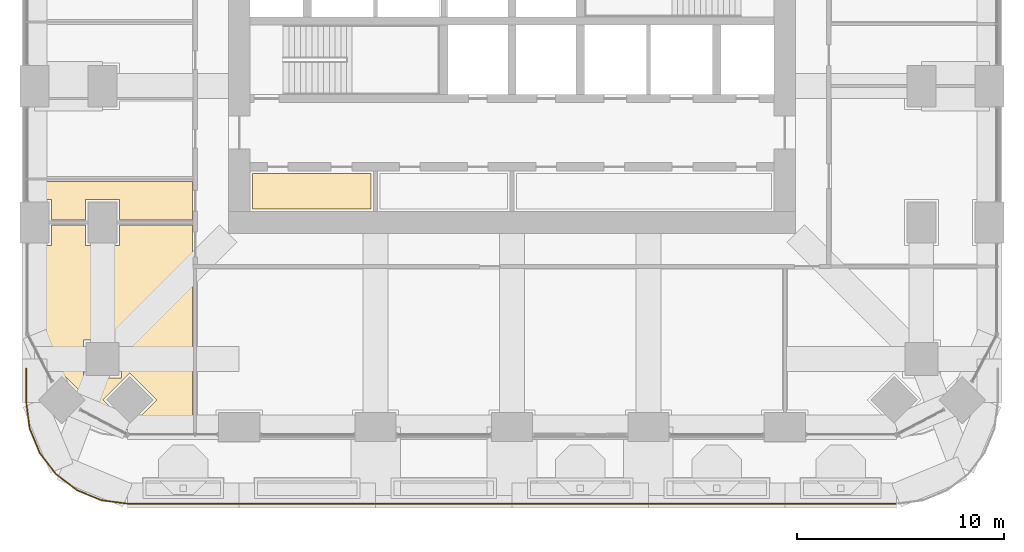
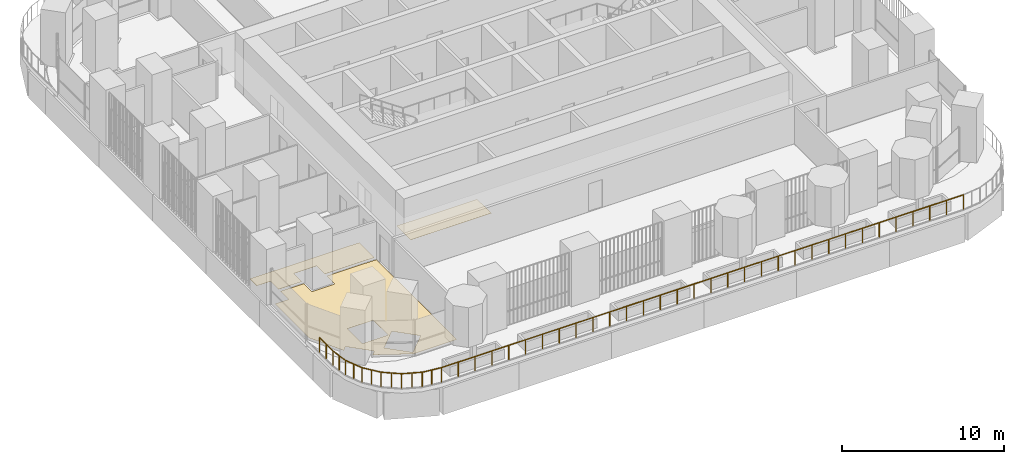
# One storey, part 17 of 22: 3 coverings, 1 railing.
"""IFC4 building model written with IfcOpenShell, lengths in metres."""

import ifcopenshell
import ifcopenshell.guid

model = None  # the IFC model being written
_history = None  # IfcOwnerHistory: only IFC2X3 demands one
_inside = {}  # id of a spatial element -> (the spatial element, [elements in it])
_under = {}  # id of a project, library or spatial element -> (it, [spatial elements below it])
_declared = {}  # id of a project -> (the project, [libraries it declares])
_typed = {}  # id of a type object -> (the type object, [elements of that type])
_made_of = {}  # id of a material, layer set ... -> (it, [elements and type objects made of it])


def new_model(schema):
    """Start an empty IFC model of exactly this schema.

    Asked for "IFC4X3", IfcOpenShell would pick the latest addendum, in which some entities
    have other attributes; the version numbers below select the first issue.
    IFC2X3 requires an IfcOwnerHistory on every rooted entity: one is made here for all.
    """
    global model, _history
    if schema == "IFC4X3":
        model = ifcopenshell.file(schema_version=(4, 3, 0, 0))
    else:
        model = ifcopenshell.file(schema=schema)
    _inside.clear()
    _under.clear()
    _declared.clear()
    _typed.clear()
    _made_of.clear()
    _history = None
    if model.schema == "IFC2X3":
        org = make("IfcOrganization", Name="unknown")
        user = make(
            "IfcPersonAndOrganization",
            ThePerson=make("IfcPerson", FamilyName="unknown"),
            TheOrganization=org,
        )
        app = make(
            "IfcApplication",
            ApplicationDeveloper=org,
            Version="unknown",
            ApplicationFullName="unknown",
            ApplicationIdentifier="unknown",
        )
        _history = make(
            "IfcOwnerHistory",
            OwningUser=user,
            OwningApplication=app,
            ChangeAction="ADDED",
            CreationDate=0,
        )
    return model


def make(cls, **values):
    """One entity of the class cls with the attributes given. An attribute that is None is left unset."""
    return model.create_entity(
        cls, **{name: value for name, value in values.items() if value is not None}
    )


def rooted(cls, **values):
    """An entity with a GlobalId (a new one), such as an element, a storey or a relation."""
    return make(cls, GlobalId=ifcopenshell.guid.new(), OwnerHistory=_history, **values)


def si_unit(unit_type, name, prefix=None):
    """IfcSIUnit, for example si_unit("LENGTHUNIT", "METRE", prefix="MILLI")."""
    return make("IfcSIUnit", UnitType=unit_type, Prefix=prefix, Name=name)


def assignment(units):
    """IfcUnitAssignment: the units of a project."""
    return None if units is None else make("IfcUnitAssignment", Units=units)


def point(xyz):
    """IfcCartesianPoint."""
    return None if xyz is None else make("IfcCartesianPoint", Coordinates=xyz)


def direction(xyz):
    """IfcDirection."""
    return None if xyz is None else make("IfcDirection", DirectionRatios=xyz)


def frame(location, z_axis=None, x_axis=None):
    """IfcAxis2Placement3D, a coordinate frame: its origin and axes. An axis left out is left unset."""
    return make(
        "IfcAxis2Placement3D",
        Location=point(location),
        Axis=direction(z_axis),
        RefDirection=direction(x_axis),
    )


def origin():
    """The frame at (0, 0, 0) with its axes left unset."""
    return frame((0.0, 0.0, 0.0))


def place(relative_to, where):
    """IfcLocalPlacement: puts the frame where relative to a parent placement (None: the world)."""
    return make(
        "IfcLocalPlacement", PlacementRelTo=relative_to, RelativePlacement=where
    )


def context(
    kind, dimensions, precision=None, world=None, true_north=None, identifier=None
):
    """IfcGeometricRepresentationContext, for example the 3D "Model" context."""
    return make(
        "IfcGeometricRepresentationContext",
        ContextIdentifier=identifier,
        ContextType=kind,
        CoordinateSpaceDimension=dimensions,
        Precision=precision,
        WorldCoordinateSystem=world,
        TrueNorth=true_north,
    )


def subcontext(parent, identifier, kind, view, scale=None):
    """IfcGeometricRepresentationSubContext, for example "Body" below "Model"."""
    return make(
        "IfcGeometricRepresentationSubContext",
        ContextIdentifier=identifier,
        ContextType=kind,
        ParentContext=parent,
        TargetScale=scale,
        TargetView=view,
    )


def project(units=None, contexts=None):
    """IfcProject with its units and contexts."""
    return rooted(
        "IfcProject",
        Name="project",
        RepresentationContexts=contexts,
        UnitsInContext=assignment(units),
    )


def spatial(cls, under=None, at=None, **own):
    """A site, building, storey or space (cls), placed at a placement, below another one or the project."""
    s = rooted(cls, ObjectPlacement=at, **own)
    if under is not None:
        _under.setdefault(under.id(), (under, []))[1].append(s)
    return s


def polyline(points):
    """IfcPolyline through the points."""
    return make("IfcPolyline", Points=[point(p) for p in points])


def outline(outer, holes=None, kind="AREA"):
    """IfcArbitraryClosedProfileDef: a profile drawn as a closed curve; with holes, ...WithVoids."""
    if holes is None:
        return make("IfcArbitraryClosedProfileDef", ProfileType=kind, OuterCurve=outer)
    return make(
        "IfcArbitraryProfileDefWithVoids",
        ProfileType=kind,
        OuterCurve=outer,
        InnerCurves=holes,
    )


def extrude(swept, where, along, depth):
    """IfcExtrudedAreaSolid: the profile swept, set in the frame where, extruded along a direction by depth."""
    return make(
        "IfcExtrudedAreaSolid",
        SweptArea=swept,
        Position=where,
        ExtrudedDirection=direction(along),
        Depth=depth,
    )


def shape(context_of_items, identifier, shape_type, items):
    """IfcShapeRepresentation: the items that make up one representation, for example the "Body"."""
    return make(
        "IfcShapeRepresentation",
        ContextOfItems=context_of_items,
        RepresentationIdentifier=identifier,
        RepresentationType=shape_type,
        Items=items,
    )


def material(Name=None, Category=None):
    """IfcMaterial."""
    return make("IfcMaterial", Name=Name, Category=Category)


def layer(
    of_material, thickness, ventilated=None, Name=None, Category=None, Priority=None
):
    """IfcMaterialLayer: one layer of a wall or slab, of a material (None: an air gap)."""
    return make(
        "IfcMaterialLayer",
        Material=of_material,
        LayerThickness=thickness,
        IsVentilated=ventilated,
        Name=Name,
        Category=Category,
        Priority=Priority,
    )


def layer_set(layers, Name=None):
    """IfcMaterialLayerSet."""
    return make("IfcMaterialLayerSet", MaterialLayers=layers, LayerSetName=Name)


def made_of(thing, what):
    """Note that an element or type object is made of a material, layer set ...; save() writes the relation."""
    if what is not None:
        _made_of.setdefault(what.id(), (what, []))[1].append(thing)
    return thing


def type_object(cls, material=None, **own):
    """A type object (cls), such as IfcWallType, which elements share."""
    return made_of(rooted(cls, **own), material)


def element(
    cls,
    number,
    at=None,
    inside=None,
    cuts=None,
    type_object=None,
    material=None,
    context=None,
    identifier="Body",
    shape_type=None,
    held_by="IfcProductDefinitionShape",
    body=None,
    shapes=None,
    **own,
):
    """One element of the class cls, such as IfcWall. Its Tag is "e" and its number.

    at: its placement. inside: the storey or other place that contains it. cuts: it is an
    opening in that element (IfcRelVoidsElement). A single representation is given by context,
    identifier, shape_type and body (its items); several are given by shapes. held_by: the class
    of the entity that holds the representations. save() writes the other relations.
    """
    e = rooted(cls, Tag="e%d" % number, ObjectPlacement=at, **own)
    if body is not None:
        shapes = [shape(context, identifier, shape_type, body)]
    if shapes is not None:
        e.Representation = make(held_by, Representations=shapes)
    if inside is not None:
        _inside.setdefault(inside.id(), (inside, []))[1].append(e)
    if cuts is not None:
        rooted(
            "IfcRelVoidsElement", RelatingBuildingElement=cuts, RelatedOpeningElement=e
        )
    if type_object is not None:
        _typed.setdefault(type_object.id(), (type_object, []))[1].append(e)
    return made_of(e, material)


def aggregate(whole, parts):
    """IfcRelAggregates: a whole, such as a stair, and the parts it consists of."""
    return rooted("IfcRelAggregates", RelatingObject=whole, RelatedObjects=parts)


def save(model, path):
    """Write the relations noted so far, then the file.

    IfcRelAggregates (storeys below a building ...), IfcRelContainedInSpatialStructure (elements
    in a storey), IfcRelDefinesByType, IfcRelAssociatesMaterial and IfcRelDeclares: one each for
    every whole, place, type object, material and project.
    """
    for whole, parts in _under.values():
        aggregate(whole, parts)
    for where, things in _inside.values():
        rooted(
            "IfcRelContainedInSpatialStructure",
            RelatedElements=things,
            RelatingStructure=where,
        )
    for kind, things in _typed.values():
        rooted("IfcRelDefinesByType", RelatedObjects=things, RelatingType=kind)
    for what, things in _made_of.values():
        rooted("IfcRelAssociatesMaterial", RelatedObjects=things, RelatingMaterial=what)
    for by, libraries in _declared.values():
        rooted("IfcRelDeclares", RelatingContext=by, RelatedDefinitions=libraries)
    model.write(path)


model = new_model("IFC4")

# Units and contexts
model_context = context("Model", 3, precision=1e-05, world=origin(), true_north=direction((0.0, 1.0)))
body_context = subcontext(model_context, "Body", "Model", "MODEL_VIEW")
ifc_project = project(units=[si_unit("LENGTHUNIT", "METRE"), si_unit("AREAUNIT", "SQUARE_METRE"), si_unit("VOLUMEUNIT", "CUBIC_METRE"), si_unit("PLANEANGLEUNIT", "RADIAN"), si_unit("MASSUNIT", "GRAM", prefix="KILO")], contexts=[model_context])

# Site, building, storey
site_placement = place(None, origin())
site = spatial("IfcSite", under=ifc_project, at=site_placement, CompositionType="ELEMENT")
building_placement = place(site_placement, origin())
building = spatial("IfcBuilding", under=site, at=building_placement, Name="Cobogo Forest Laboratory Tower", CompositionType="ELEMENT")
storey_placement = place(building_placement, frame((0.0, 0.0, 155.699951171875)))
storey = spatial("IfcBuildingStorey", under=building, at=storey_placement, Name="L35", CompositionType="ELEMENT", Elevation=155.699951171875)

# Railing
ifc_material_1 = material(Name="Laminated glass balustrade", Category="glass")
railing_type = type_object("IfcRailingType", Name="BG1 glass balustrade 1100", PredefinedType="GUARDRAIL", material=ifc_material_1)
railing_placement = place(storey_placement, frame((2.89990234375, 6.14208984375, 0.06005859375)))
element("IfcRailing", 1, at=railing_placement, inside=storey, type_object=railing_type, Name="Terrace balustrade TER-S L35", PredefinedType="GUARDRAIL", context=body_context, shape_type="SweptSolid", body=[
    extrude(outline(polyline([(0.022216796875, 0.00927734375), (0.00927734375, 0.022216796875), (-0.00927734375, 0.022216796875), (-0.022216796875, 0.00927734375), (-0.022216796875, -0.00927734375), (-0.00927734375, -0.022216796875), (0.00927734375, -0.022216796875), (0.022216796875, -0.00927734375), (0.022216796875, 0.00927734375)])), frame((0.0, 0.0, 1.077880859375), z_axis=(0.0, -1.0, 0.0), x_axis=(1.0, 0.0, 0.0)), (0.0, 0.0, 1.0), 1.638916015625),
    extrude(outline(polyline([(0.022216796875, 0.00927734375), (0.00927734375, 0.022216796875), (-0.00927734375, 0.022216796875), (-0.022216796875, 0.00927734375), (-0.022216796875, -0.00927734375), (-0.00927734375, -0.022216796875), (0.00927734375, -0.022216796875), (0.022216796875, -0.00927734375), (0.022216796875, 0.00927734375)])), frame((0.0, -1.638916015625, 1.077880859375), z_axis=(0.130617047537, -0.991432895809, 0.0), x_axis=(0.991432895809, 0.130617047537, 0.0)), (0.0, 0.0, 1.0), 1.2822265625),
    extrude(outline(polyline([(0.022216796875, 0.00927734375), (0.00927734375, 0.022216796875), (-0.00927734375, 0.022216796875), (-0.022216796875, 0.00927734375), (-0.022216796875, -0.00927734375), (-0.00927734375, -0.022216796875), (0.00927734375, -0.022216796875), (0.022216796875, -0.00927734375), (0.022216796875, 0.00927734375)])), frame((0.16748046875, -2.91015625, 1.077880859375), z_axis=(0.382717053503, -0.923865605463, 0.0), x_axis=(0.923865605463, 0.382717053503, 0.0)), (0.0, 0.0, 1.0), 1.279052734375),
    extrude(outline(polyline([(0.022216796875, 0.00927734375), (0.00927734375, 0.022216796875), (-0.00927734375, 0.022216796875), (-0.022216796875, 0.00927734375), (-0.022216796875, -0.00927734375), (-0.00927734375, -0.022216796875), (0.00927734375, -0.022216796875), (0.022216796875, -0.00927734375), (0.022216796875, 0.00927734375)])), frame((0.656982421875, -4.091796875, 1.077880859375), z_axis=(0.608667927256, -0.793425077956, 0.0), x_axis=(0.793425077956, 0.608667927256, 0.0)), (0.0, 0.0, 1.0), 1.279052734375),
    extrude(outline(polyline([(0.022216796875, 0.00927734375), (0.00927734375, 0.022216796875), (-0.00927734375, 0.022216796875), (-0.022216796875, 0.00927734375), (-0.022216796875, -0.00927734375), (-0.00927734375, -0.022216796875), (0.00927734375, -0.022216796875), (0.022216796875, -0.00927734375), (0.022216796875, 0.00927734375)])), frame((1.435546875, -5.106689453125, 1.077880859375), z_axis=(0.793354350931, -0.608760111915, 0.0), x_axis=(0.608760111915, 0.793354350931, 0.0)), (0.0, 0.0, 1.0), 1.279052734375),
    extrude(outline(polyline([(0.022216796875, 0.00927734375), (0.00927734375, 0.022216796875), (-0.00927734375, 0.022216796875), (-0.022216796875, 0.00927734375), (-0.022216796875, -0.00927734375), (-0.00927734375, -0.022216796875), (0.00927734375, -0.022216796875), (0.022216796875, -0.00927734375), (0.022216796875, 0.00927734375)])), frame((2.4501953125, -5.88525390625, 1.077880859375), z_axis=(0.923893556904, -0.382649572731, 0.0), x_axis=(0.382649572731, 0.923893556904, 0.0)), (0.0, 0.0, 1.0), 1.279296875),
    extrude(outline(polyline([(0.022216796875, 0.00927734375), (0.00927734375, 0.022216796875), (-0.00927734375, 0.022216796875), (-0.022216796875, 0.00927734375), (-0.022216796875, -0.00927734375), (-0.00927734375, -0.022216796875), (0.00927734375, -0.022216796875), (0.022216796875, -0.00927734375), (0.022216796875, 0.00927734375)])), frame((3.632080078125, -6.374755859375, 1.077880859375), z_axis=(0.991457535682, -0.130429885144, 0.0), x_axis=(0.130429885144, 0.991457535682, 0.0)), (0.0, 0.0, 1.0), 1.2822265625),
    extrude(outline(polyline([(0.022216796875, 0.00927734375), (0.00927734375, 0.022216796875), (-0.00927734375, 0.022216796875), (-0.022216796875, 0.00927734375), (-0.022216796875, -0.00927734375), (-0.00927734375, -0.022216796875), (0.00927734375, -0.022216796875), (0.022216796875, -0.00927734375), (0.022216796875, 0.00927734375)])), frame((4.9033203125, -6.5419921875, 1.077880859375), z_axis=(1.0, 0.0, 0.0), x_axis=(0.0, 1.0, 0.0)), (0.0, 0.0, 1.0), 37.193603515625),
    extrude(outline(polyline([(0.019287109375, 0.008056640625), (0.008056640625, 0.019287109375), (-0.008056640625, 0.019287109375), (-0.019287109375, 0.008056640625), (-0.019287109375, -0.008056640625), (-0.008056640625, -0.019287109375), (0.008056640625, -0.019287109375), (0.019287109375, -0.008056640625), (0.019287109375, 0.008056640625)])), origin(), (0.0, 0.0, 1.0), 1.077880859375),
    extrude(outline(polyline([(0.019287109375, 0.008056640625), (0.008056640625, 0.019287109375), (-0.008056640625, 0.019287109375), (-0.019287109375, 0.008056640625), (-0.019287109375, -0.008056640625), (-0.008056640625, -0.019287109375), (0.008056640625, -0.019287109375), (0.019287109375, -0.008056640625), (0.019287109375, 0.008056640625)])), frame((0.0, -0.8193359375, 0.0)), (0.0, 0.0, 1.0), 1.077880859375),
    extrude(outline(polyline([(0.019287109375, 0.008056640625), (0.008056640625, 0.019287109375), (-0.008056640625, 0.019287109375), (-0.019287109375, 0.008056640625), (-0.019287109375, -0.008056640625), (-0.008056640625, -0.019287109375), (0.008056640625, -0.019287109375), (0.019287109375, -0.008056640625), (0.019287109375, 0.008056640625)])), frame((0.0, -1.638916015625, 0.0)), (0.0, 0.0, 1.0), 1.077880859375),
    extrude(outline(polyline([(0.019287109375, 0.008056640625), (0.008056640625, 0.019287109375), (-0.008056640625, 0.019287109375), (-0.019287109375, 0.008056640625), (-0.019287109375, -0.008056640625), (-0.008056640625, -0.019287109375), (0.008056640625, -0.019287109375), (0.019287109375, -0.008056640625), (0.019287109375, 0.008056640625)])), frame((0.083740234375, -2.2744140625, 0.0)), (0.0, 0.0, 1.0), 1.077880859375),
    extrude(outline(polyline([(0.019287109375, 0.008056640625), (0.008056640625, 0.019287109375), (-0.008056640625, 0.019287109375), (-0.019287109375, 0.008056640625), (-0.019287109375, -0.008056640625), (-0.008056640625, -0.019287109375), (0.008056640625, -0.019287109375), (0.019287109375, -0.008056640625), (0.019287109375, 0.008056640625)])), frame((0.16748046875, -2.91015625, 0.0)), (0.0, 0.0, 1.0), 1.077880859375),
    extrude(outline(polyline([(0.019287109375, 0.008056640625), (0.008056640625, 0.019287109375), (-0.008056640625, 0.019287109375), (-0.019287109375, 0.008056640625), (-0.019287109375, -0.008056640625), (-0.008056640625, -0.019287109375), (0.008056640625, -0.019287109375), (0.019287109375, -0.008056640625), (0.019287109375, 0.008056640625)])), frame((0.412109375, -3.5009765625, 0.0)), (0.0, 0.0, 1.0), 1.077880859375),
    extrude(outline(polyline([(0.019287109375, 0.008056640625), (0.008056640625, 0.019287109375), (-0.008056640625, 0.019287109375), (-0.019287109375, 0.008056640625), (-0.019287109375, -0.008056640625), (-0.008056640625, -0.019287109375), (0.008056640625, -0.019287109375), (0.019287109375, -0.008056640625), (0.019287109375, 0.008056640625)])), frame((0.656982421875, -4.091796875, 0.0)), (0.0, 0.0, 1.0), 1.077880859375),
    extrude(outline(polyline([(0.019287109375, 0.008056640625), (0.008056640625, 0.019287109375), (-0.008056640625, 0.019287109375), (-0.019287109375, 0.008056640625), (-0.019287109375, -0.008056640625), (-0.008056640625, -0.019287109375), (0.008056640625, -0.019287109375), (0.019287109375, -0.008056640625), (0.019287109375, 0.008056640625)])), frame((1.04638671875, -4.59912109375, 0.0)), (0.0, 0.0, 1.0), 1.077880859375),
    extrude(outline(polyline([(0.019287109375, 0.008056640625), (0.008056640625, 0.019287109375), (-0.008056640625, 0.019287109375), (-0.019287109375, 0.008056640625), (-0.019287109375, -0.008056640625), (-0.008056640625, -0.019287109375), (0.008056640625, -0.019287109375), (0.019287109375, -0.008056640625), (0.019287109375, 0.008056640625)])), frame((1.435546875, -5.106689453125, 0.0)), (0.0, 0.0, 1.0), 1.077880859375),
    extrude(outline(polyline([(0.019287109375, 0.008056640625), (0.008056640625, 0.019287109375), (-0.008056640625, 0.019287109375), (-0.019287109375, 0.008056640625), (-0.019287109375, -0.008056640625), (-0.008056640625, -0.019287109375), (0.008056640625, -0.019287109375), (0.019287109375, -0.008056640625), (0.019287109375, 0.008056640625)])), frame((1.94287109375, -5.49609375, 0.0)), (0.0, 0.0, 1.0), 1.077880859375),
    extrude(outline(polyline([(0.019287109375, 0.008056640625), (0.008056640625, 0.019287109375), (-0.008056640625, 0.019287109375), (-0.019287109375, 0.008056640625), (-0.019287109375, -0.008056640625), (-0.008056640625, -0.019287109375), (0.008056640625, -0.019287109375), (0.019287109375, -0.008056640625), (0.019287109375, 0.008056640625)])), frame((2.4501953125, -5.88525390625, 0.0)), (0.0, 0.0, 1.0), 1.077880859375),
    extrude(outline(polyline([(0.019287109375, 0.008056640625), (0.008056640625, 0.019287109375), (-0.008056640625, 0.019287109375), (-0.019287109375, 0.008056640625), (-0.019287109375, -0.008056640625), (-0.008056640625, -0.019287109375), (0.008056640625, -0.019287109375), (0.019287109375, -0.008056640625), (0.019287109375, 0.008056640625)])), frame((3.041015625, -6.1298828125, 0.0)), (0.0, 0.0, 1.0), 1.077880859375),
    extrude(outline(polyline([(0.019287109375, 0.008056640625), (0.008056640625, 0.019287109375), (-0.008056640625, 0.019287109375), (-0.019287109375, 0.008056640625), (-0.019287109375, -0.008056640625), (-0.008056640625, -0.019287109375), (0.008056640625, -0.019287109375), (0.019287109375, -0.008056640625), (0.019287109375, 0.008056640625)])), frame((3.632080078125, -6.374755859375, 0.0)), (0.0, 0.0, 1.0), 1.077880859375),
    extrude(outline(polyline([(0.019287109375, 0.008056640625), (0.008056640625, 0.019287109375), (-0.008056640625, 0.019287109375), (-0.019287109375, 0.008056640625), (-0.019287109375, -0.008056640625), (-0.008056640625, -0.019287109375), (0.008056640625, -0.019287109375), (0.019287109375, -0.008056640625), (0.019287109375, 0.008056640625)])), frame((4.267578125, -6.45849609375, 0.0)), (0.0, 0.0, 1.0), 1.077880859375),
    extrude(outline(polyline([(0.019287109375, 0.008056640625), (0.008056640625, 0.019287109375), (-0.008056640625, 0.019287109375), (-0.019287109375, 0.008056640625), (-0.019287109375, -0.008056640625), (-0.008056640625, -0.019287109375), (0.008056640625, -0.019287109375), (0.019287109375, -0.008056640625), (0.019287109375, 0.008056640625)])), frame((4.9033203125, -6.5419921875, 0.0)), (0.0, 0.0, 1.0), 1.077880859375),
    extrude(outline(polyline([(0.019287109375, 0.008056640625), (0.008056640625, 0.019287109375), (-0.008056640625, 0.019287109375), (-0.019287109375, 0.008056640625), (-0.019287109375, -0.008056640625), (-0.008056640625, -0.019287109375), (0.008056640625, -0.019287109375), (0.019287109375, -0.008056640625), (0.019287109375, 0.008056640625)])), frame((6.10302734375, -6.5419921875, 0.0)), (0.0, 0.0, 1.0), 1.077880859375),
    extrude(outline(polyline([(0.019287109375, 0.008056640625), (0.008056640625, 0.019287109375), (-0.008056640625, 0.019287109375), (-0.019287109375, 0.008056640625), (-0.019287109375, -0.008056640625), (-0.008056640625, -0.019287109375), (0.008056640625, -0.019287109375), (0.019287109375, -0.008056640625), (0.019287109375, 0.008056640625)])), frame((7.302978515625, -6.5419921875, 0.0)), (0.0, 0.0, 1.0), 1.077880859375),
    extrude(outline(polyline([(0.019287109375, 0.008056640625), (0.008056640625, 0.019287109375), (-0.008056640625, 0.019287109375), (-0.019287109375, 0.008056640625), (-0.019287109375, -0.008056640625), (-0.008056640625, -0.019287109375), (0.008056640625, -0.019287109375), (0.019287109375, -0.008056640625), (0.019287109375, 0.008056640625)])), frame((8.502685546875, -6.5419921875, 0.0)), (0.0, 0.0, 1.0), 1.077880859375),
    extrude(outline(polyline([(0.019287109375, 0.008056640625), (0.008056640625, 0.019287109375), (-0.008056640625, 0.019287109375), (-0.019287109375, 0.008056640625), (-0.019287109375, -0.008056640625), (-0.008056640625, -0.019287109375), (0.008056640625, -0.019287109375), (0.019287109375, -0.008056640625), (0.019287109375, 0.008056640625)])), frame((9.702392578125, -6.5419921875, 0.0)), (0.0, 0.0, 1.0), 1.077880859375),
    extrude(outline(polyline([(0.019287109375, 0.008056640625), (0.008056640625, 0.019287109375), (-0.008056640625, 0.019287109375), (-0.019287109375, 0.008056640625), (-0.019287109375, -0.008056640625), (-0.008056640625, -0.019287109375), (0.008056640625, -0.019287109375), (0.019287109375, -0.008056640625), (0.019287109375, 0.008056640625)])), frame((10.90234375, -6.5419921875, 0.0)), (0.0, 0.0, 1.0), 1.077880859375),
    extrude(outline(polyline([(0.019287109375, 0.008056640625), (0.008056640625, 0.019287109375), (-0.008056640625, 0.019287109375), (-0.019287109375, 0.008056640625), (-0.019287109375, -0.008056640625), (-0.008056640625, -0.019287109375), (0.008056640625, -0.019287109375), (0.019287109375, -0.008056640625), (0.019287109375, 0.008056640625)])), frame((12.10205078125, -6.5419921875, 0.0)), (0.0, 0.0, 1.0), 1.077880859375),
    extrude(outline(polyline([(0.019287109375, 0.008056640625), (0.008056640625, 0.019287109375), (-0.008056640625, 0.019287109375), (-0.019287109375, 0.008056640625), (-0.019287109375, -0.008056640625), (-0.008056640625, -0.019287109375), (0.008056640625, -0.019287109375), (0.019287109375, -0.008056640625), (0.019287109375, 0.008056640625)])), frame((13.3017578125, -6.5419921875, 0.0)), (0.0, 0.0, 1.0), 1.077880859375),
    extrude(outline(polyline([(0.019287109375, 0.008056640625), (0.008056640625, 0.019287109375), (-0.008056640625, 0.019287109375), (-0.019287109375, 0.008056640625), (-0.019287109375, -0.008056640625), (-0.008056640625, -0.019287109375), (0.008056640625, -0.019287109375), (0.019287109375, -0.008056640625), (0.019287109375, 0.008056640625)])), frame((14.501708984375, -6.5419921875, 0.0)), (0.0, 0.0, 1.0), 1.077880859375),
    extrude(outline(polyline([(0.019287109375, 0.008056640625), (0.008056640625, 0.019287109375), (-0.008056640625, 0.019287109375), (-0.019287109375, 0.008056640625), (-0.019287109375, -0.008056640625), (-0.008056640625, -0.019287109375), (0.008056640625, -0.019287109375), (0.019287109375, -0.008056640625), (0.019287109375, 0.008056640625)])), frame((15.701416015625, -6.5419921875, 0.0)), (0.0, 0.0, 1.0), 1.077880859375),
    extrude(outline(polyline([(0.019287109375, 0.008056640625), (0.008056640625, 0.019287109375), (-0.008056640625, 0.019287109375), (-0.019287109375, 0.008056640625), (-0.019287109375, -0.008056640625), (-0.008056640625, -0.019287109375), (0.008056640625, -0.019287109375), (0.019287109375, -0.008056640625), (0.019287109375, 0.008056640625)])), frame((16.9013671875, -6.5419921875, 0.0)), (0.0, 0.0, 1.0), 1.077880859375),
    extrude(outline(polyline([(0.019287109375, 0.008056640625), (0.008056640625, 0.019287109375), (-0.008056640625, 0.019287109375), (-0.019287109375, 0.008056640625), (-0.019287109375, -0.008056640625), (-0.008056640625, -0.019287109375), (0.008056640625, -0.019287109375), (0.019287109375, -0.008056640625), (0.019287109375, 0.008056640625)])), frame((18.10107421875, -6.5419921875, 0.0)), (0.0, 0.0, 1.0), 1.077880859375),
    extrude(outline(polyline([(0.019287109375, 0.008056640625), (0.008056640625, 0.019287109375), (-0.008056640625, 0.019287109375), (-0.019287109375, 0.008056640625), (-0.019287109375, -0.008056640625), (-0.008056640625, -0.019287109375), (0.008056640625, -0.019287109375), (0.019287109375, -0.008056640625), (0.019287109375, 0.008056640625)])), frame((19.30078125, -6.5419921875, 0.0)), (0.0, 0.0, 1.0), 1.077880859375),
    extrude(outline(polyline([(0.019287109375, 0.008056640625), (0.008056640625, 0.019287109375), (-0.008056640625, 0.019287109375), (-0.019287109375, 0.008056640625), (-0.019287109375, -0.008056640625), (-0.008056640625, -0.019287109375), (0.008056640625, -0.019287109375), (0.019287109375, -0.008056640625), (0.019287109375, 0.008056640625)])), frame((20.500732421875, -6.5419921875, 0.0)), (0.0, 0.0, 1.0), 1.077880859375),
    extrude(outline(polyline([(0.019287109375, 0.008056640625), (0.008056640625, 0.019287109375), (-0.008056640625, 0.019287109375), (-0.019287109375, 0.008056640625), (-0.019287109375, -0.008056640625), (-0.008056640625, -0.019287109375), (0.008056640625, -0.019287109375), (0.019287109375, -0.008056640625), (0.019287109375, 0.008056640625)])), frame((21.700439453125, -6.5419921875, 0.0)), (0.0, 0.0, 1.0), 1.077880859375),
    extrude(outline(polyline([(0.019287109375, 0.008056640625), (0.008056640625, 0.019287109375), (-0.008056640625, 0.019287109375), (-0.019287109375, 0.008056640625), (-0.019287109375, -0.008056640625), (-0.008056640625, -0.019287109375), (0.008056640625, -0.019287109375), (0.019287109375, -0.008056640625), (0.019287109375, 0.008056640625)])), frame((22.900146484375, -6.5419921875, 0.0)), (0.0, 0.0, 1.0), 1.077880859375),
    extrude(outline(polyline([(0.019287109375, 0.008056640625), (0.008056640625, 0.019287109375), (-0.008056640625, 0.019287109375), (-0.019287109375, 0.008056640625), (-0.019287109375, -0.008056640625), (-0.008056640625, -0.019287109375), (0.008056640625, -0.019287109375), (0.019287109375, -0.008056640625), (0.019287109375, 0.008056640625)])), frame((24.10009765625, -6.5419921875, 0.0)), (0.0, 0.0, 1.0), 1.077880859375),
    extrude(outline(polyline([(0.019287109375, 0.008056640625), (0.008056640625, 0.019287109375), (-0.008056640625, 0.019287109375), (-0.019287109375, 0.008056640625), (-0.019287109375, -0.008056640625), (-0.008056640625, -0.019287109375), (0.008056640625, -0.019287109375), (0.019287109375, -0.008056640625), (0.019287109375, 0.008056640625)])), frame((25.2998046875, -6.5419921875, 0.0)), (0.0, 0.0, 1.0), 1.077880859375),
    extrude(outline(polyline([(0.019287109375, 0.008056640625), (0.008056640625, 0.019287109375), (-0.008056640625, 0.019287109375), (-0.019287109375, 0.008056640625), (-0.019287109375, -0.008056640625), (-0.008056640625, -0.019287109375), (0.008056640625, -0.019287109375), (0.019287109375, -0.008056640625), (0.019287109375, 0.008056640625)])), frame((26.49951171875, -6.5419921875, 0.0)), (0.0, 0.0, 1.0), 1.077880859375),
    extrude(outline(polyline([(0.019287109375, 0.008056640625), (0.008056640625, 0.019287109375), (-0.008056640625, 0.019287109375), (-0.019287109375, 0.008056640625), (-0.019287109375, -0.008056640625), (-0.008056640625, -0.019287109375), (0.008056640625, -0.019287109375), (0.019287109375, -0.008056640625), (0.019287109375, 0.008056640625)])), frame((27.699462890625, -6.5419921875, 0.0)), (0.0, 0.0, 1.0), 1.077880859375),
    extrude(outline(polyline([(0.019287109375, 0.008056640625), (0.008056640625, 0.019287109375), (-0.008056640625, 0.019287109375), (-0.019287109375, 0.008056640625), (-0.019287109375, -0.008056640625), (-0.008056640625, -0.019287109375), (0.008056640625, -0.019287109375), (0.019287109375, -0.008056640625), (0.019287109375, 0.008056640625)])), frame((28.899169921875, -6.5419921875, 0.0)), (0.0, 0.0, 1.0), 1.077880859375),
    extrude(outline(polyline([(0.019287109375, 0.008056640625), (0.008056640625, 0.019287109375), (-0.008056640625, 0.019287109375), (-0.019287109375, 0.008056640625), (-0.019287109375, -0.008056640625), (-0.008056640625, -0.019287109375), (0.008056640625, -0.019287109375), (0.019287109375, -0.008056640625), (0.019287109375, 0.008056640625)])), frame((30.098876953125, -6.5419921875, 0.0)), (0.0, 0.0, 1.0), 1.077880859375),
    extrude(outline(polyline([(0.019287109375, 0.008056640625), (0.008056640625, 0.019287109375), (-0.008056640625, 0.019287109375), (-0.019287109375, 0.008056640625), (-0.019287109375, -0.008056640625), (-0.008056640625, -0.019287109375), (0.008056640625, -0.019287109375), (0.019287109375, -0.008056640625), (0.019287109375, 0.008056640625)])), frame((31.298828125, -6.5419921875, 0.0)), (0.0, 0.0, 1.0), 1.077880859375),
    extrude(outline(polyline([(0.019287109375, 0.008056640625), (0.008056640625, 0.019287109375), (-0.008056640625, 0.019287109375), (-0.019287109375, 0.008056640625), (-0.019287109375, -0.008056640625), (-0.008056640625, -0.019287109375), (0.008056640625, -0.019287109375), (0.019287109375, -0.008056640625), (0.019287109375, 0.008056640625)])), frame((32.49853515625, -6.5419921875, 0.0)), (0.0, 0.0, 1.0), 1.077880859375),
    extrude(outline(polyline([(0.019287109375, 0.008056640625), (0.008056640625, 0.019287109375), (-0.008056640625, 0.019287109375), (-0.019287109375, 0.008056640625), (-0.019287109375, -0.008056640625), (-0.008056640625, -0.019287109375), (0.008056640625, -0.019287109375), (0.019287109375, -0.008056640625), (0.019287109375, 0.008056640625)])), frame((33.698486328125, -6.5419921875, 0.0)), (0.0, 0.0, 1.0), 1.077880859375),
    extrude(outline(polyline([(0.019287109375, 0.008056640625), (0.008056640625, 0.019287109375), (-0.008056640625, 0.019287109375), (-0.019287109375, 0.008056640625), (-0.019287109375, -0.008056640625), (-0.008056640625, -0.019287109375), (0.008056640625, -0.019287109375), (0.019287109375, -0.008056640625), (0.019287109375, 0.008056640625)])), frame((34.898193359375, -6.5419921875, 0.0)), (0.0, 0.0, 1.0), 1.077880859375),
    extrude(outline(polyline([(0.019287109375, 0.008056640625), (0.008056640625, 0.019287109375), (-0.008056640625, 0.019287109375), (-0.019287109375, 0.008056640625), (-0.019287109375, -0.008056640625), (-0.008056640625, -0.019287109375), (0.008056640625, -0.019287109375), (0.019287109375, -0.008056640625), (0.019287109375, 0.008056640625)])), frame((36.097900390625, -6.5419921875, 0.0)), (0.0, 0.0, 1.0), 1.077880859375),
    extrude(outline(polyline([(0.019287109375, 0.008056640625), (0.008056640625, 0.019287109375), (-0.008056640625, 0.019287109375), (-0.019287109375, 0.008056640625), (-0.019287109375, -0.008056640625), (-0.008056640625, -0.019287109375), (0.008056640625, -0.019287109375), (0.019287109375, -0.008056640625), (0.019287109375, 0.008056640625)])), frame((37.2978515625, -6.5419921875, 0.0)), (0.0, 0.0, 1.0), 1.077880859375),
    extrude(outline(polyline([(0.019287109375, 0.008056640625), (0.008056640625, 0.019287109375), (-0.008056640625, 0.019287109375), (-0.019287109375, 0.008056640625), (-0.019287109375, -0.008056640625), (-0.008056640625, -0.019287109375), (0.008056640625, -0.019287109375), (0.019287109375, -0.008056640625), (0.019287109375, 0.008056640625)])), frame((38.49755859375, -6.5419921875, 0.0)), (0.0, 0.0, 1.0), 1.077880859375),
    extrude(outline(polyline([(0.019287109375, 0.008056640625), (0.008056640625, 0.019287109375), (-0.008056640625, 0.019287109375), (-0.019287109375, 0.008056640625), (-0.019287109375, -0.008056640625), (-0.008056640625, -0.019287109375), (0.008056640625, -0.019287109375), (0.019287109375, -0.008056640625), (0.019287109375, 0.008056640625)])), frame((39.697265625, -6.5419921875, 0.0)), (0.0, 0.0, 1.0), 1.077880859375),
    extrude(outline(polyline([(0.019287109375, 0.008056640625), (0.008056640625, 0.019287109375), (-0.008056640625, 0.019287109375), (-0.019287109375, 0.008056640625), (-0.019287109375, -0.008056640625), (-0.008056640625, -0.019287109375), (0.008056640625, -0.019287109375), (0.019287109375, -0.008056640625), (0.019287109375, 0.008056640625)])), frame((40.897216796875, -6.5419921875, 0.0)), (0.0, 0.0, 1.0), 1.077880859375),
    extrude(outline(polyline([(0.019287109375, 0.008056640625), (0.008056640625, 0.019287109375), (-0.008056640625, 0.019287109375), (-0.019287109375, 0.008056640625), (-0.019287109375, -0.008056640625), (-0.008056640625, -0.019287109375), (0.008056640625, -0.019287109375), (0.019287109375, -0.008056640625), (0.019287109375, 0.008056640625)])), frame((42.096923828125, -6.5419921875, 0.0)), (0.0, 0.0, 1.0), 1.077880859375),
])

# Coverings
ifc_material_2 = material(Name="Static-dissipative vinyl flooring", Category="flooring")
ifc_layer_1 = layer(ifc_material_2, 0.0029296875)
ifc_layer_set_1 = layer_set([ifc_layer_1], Name="SD1 static-dissipative vinyl floor 3")
covering_type_1 = type_object("IfcCoveringType", Name="SD1 static-dissipative vinyl floor 3", PredefinedType="FLOORING", material=ifc_layer_set_1)
covering_1_placement = place(storey_placement, origin())
element("IfcCovering", 2, at=covering_1_placement, inside=storey, type_object=covering_type_1, Name="Static-dissipative floor L35-15", PredefinedType="FLOORING", context=body_context, shape_type="SweptSolid", body=[
    extrude(outline(polyline([(10.955078125, 3.14990234375), (7.84912109375, 3.14990234375), (5.619873046875, 4.318603515625), (5.919189453125, 4.617919921875), (4.617919921875, 5.919189453125), (4.318603515625, 5.619873046875), (3.14990234375, 7.84912109375), (3.14990234375, 12.080078125), (4.1201171875, 12.080078125), (4.1201171875, 13.080078125), (5.780029296875, 13.080078125), (5.780029296875, 12.080078125), (7.419921875, 12.080078125), (7.419921875, 13.080078125), (10.955078125, 13.080078125), (10.955078125, 3.14990234375)]), holes=[polyline([(7.91796875, 3.31689453125), (9.218994140625, 4.617919921875), (7.91796875, 5.919189453125), (6.616943359375, 4.617919921875), (7.91796875, 3.31689453125)]), polyline([(5.679931640625, 5.679931640625), (7.52001953125, 5.679931640625), (7.52001953125, 7.52001953125), (5.679931640625, 7.52001953125), (5.679931640625, 5.679931640625)])]), origin(), (0.0, 0.0, 1.0), 0.0029296875),
])
ifc_material_3 = material(Name="Ceramic floor tile", Category="flooring")
ifc_layer_2 = layer(ifc_material_3, 0.010009765625)
ifc_layer_set_2 = layer_set([ifc_layer_2], Name="TF1 ceramic tile floor 10")
covering_type_2 = type_object("IfcCoveringType", Name="TF1 ceramic tile floor 10", PredefinedType="FLOORING", material=ifc_layer_set_2)
covering_2_placement = place(storey_placement, origin())
element("IfcCovering", 3, at=covering_2_placement, inside=storey, type_object=covering_type_2, Name="Tile floor L35-16", PredefinedType="FLOORING", context=body_context, shape_type="SweptSolid", body=[
    extrude(outline(polyline([(10.955078125, 13.320068359375), (7.419921875, 13.320068359375), (7.419921875, 14.320068359375), (5.780029296875, 14.320068359375), (5.780029296875, 13.320068359375), (4.1201171875, 13.320068359375), (4.1201171875, 14.320068359375), (3.14990234375, 14.320068359375), (3.14990234375, 15.179931640625), (10.955078125, 15.179931640625), (10.955078125, 13.320068359375)])), origin(), (0.0, 0.0, 1.0), 0.010009765625),
])
covering_3_placement = place(storey_placement, origin())
element("IfcCovering", 4, at=covering_3_placement, inside=storey, type_object=covering_type_2, Name="Tile floor L35-29", PredefinedType="FLOORING", context=body_context, shape_type="SweptSolid", body=[
    extrude(outline(polyline([(19.580078125, 13.844970703125), (13.844970703125, 13.844970703125), (13.844970703125, 15.580078125), (19.580078125, 15.580078125), (19.580078125, 13.844970703125)])), origin(), (0.0, 0.0, 1.0), 0.010009765625),
])

save(model, "model.ifc")
